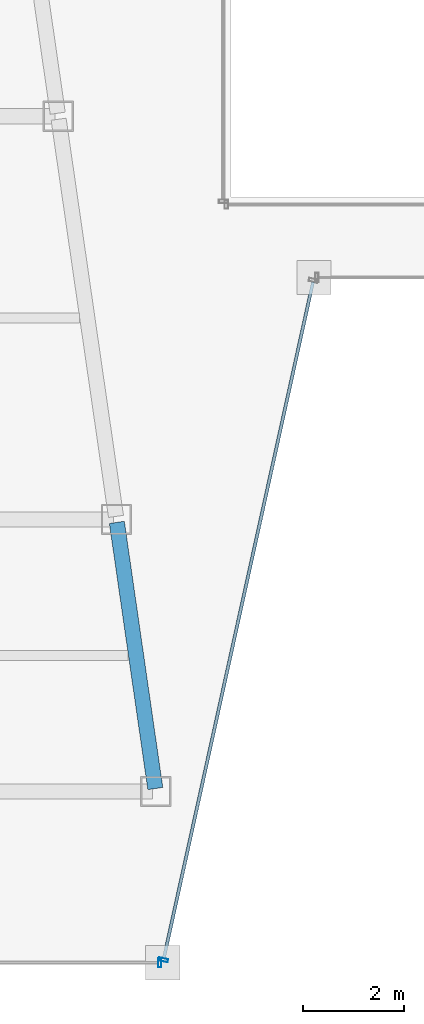
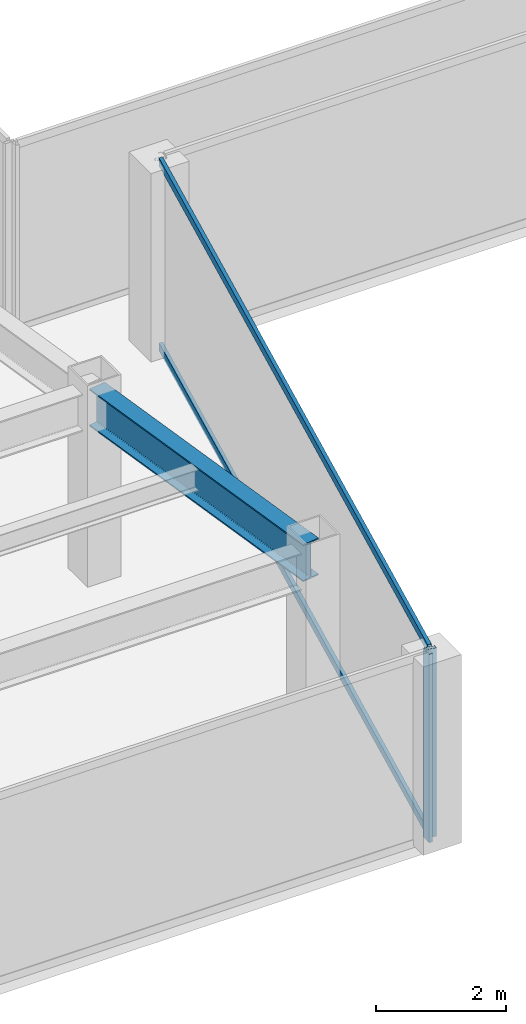
# One storey, part 5 of 37: 4 members, 1 beam, 2 elements without a shape of their own.
"""IFC4 building model written with IfcOpenShell, lengths in metres."""

from ifc_helpers import new_model, si_unit, direction, frame, origin, origin_2d, place, context, subcontext, project, spatial, hollow_rectangle, i_section, extrude, material, material_profile, profile_set, type_object, element, aggregate, save


model = new_model("IFC4")

# Units and contexts
model_context = context("Model", 3, precision=1e-05, world=origin(), true_north=direction((0.0, 1.0)))
body_context = subcontext(model_context, "Body", "Model", "MODEL_VIEW")
ifc_project = project(units=[si_unit("LENGTHUNIT", "METRE"), si_unit("AREAUNIT", "SQUARE_METRE"), si_unit("VOLUMEUNIT", "CUBIC_METRE"), si_unit("PLANEANGLEUNIT", "RADIAN"), si_unit("MASSUNIT", "GRAM", prefix="KILO")], contexts=[model_context])

# Site, building, storey
site_placement = place(None, origin())
site = spatial("IfcSite", under=ifc_project, at=site_placement, CompositionType="ELEMENT")
building_placement = place(site_placement, origin())
building = spatial("IfcBuilding", under=site, at=building_placement, Name="Saevonmaru Cultural Tower", CompositionType="ELEMENT")
storey_placement = place(building_placement, frame((0.0, 0.0, 141.0)))
storey = spatial("IfcBuildingStorey", under=building, at=storey_placement, Name="L30", CompositionType="ELEMENT", Elevation=141.0)

# Beam
ifc_material_1 = material(Name="Steel SM355", Category="steel")
ifc_material_profile_1 = material_profile(ifc_material_1, i_section(OverallWidth=0.300048828125, OverallDepth=0.699951171875, WebThickness=0.012939453125, FlangeThickness=0.02392578125, FilletRadius=0.02587890625, at=origin_2d()), Name="H-700x300x13x24")
ifc_profile_set_1 = profile_set([ifc_material_profile_1], Name="Steel SM355")
beam_type = type_object("IfcBeamType", Name="BM-G-H700", PredefinedType="BEAM", material=ifc_profile_set_1)
beam_placement = place(storey_placement, frame((22.699462890625, 10.659423828125, 3.199951171875), z_axis=(-0.142977693794, 0.989725911087, 0.0), x_axis=(-0.989725911087, -0.142977693794, 0.0)))
element("IfcBeam", 1, at=beam_placement, inside=storey, type_object=beam_type, Name="L30 West Atrium Girder 1", PredefinedType="BEAM", context=body_context, shape_type="SweptSolid", body=[
    extrude(i_section(OverallWidth=0.300048828125, OverallDepth=0.699951171875, WebThickness=0.012939453125, FlangeThickness=0.02392578125, FilletRadius=0.02587890625, at=origin_2d()), origin(), (0.0, 0.0, 1.0), 5.336181640625),
])

# Curtain wall, member
ifc_material_2 = material(Name="Satin Bronze Anodised Aluminium", Category="aluminium")
curtain_wall_type = type_object("IfcCurtainWallType", Name="CW-TYP-A", PredefinedType="NOTDEFINED", material=ifc_material_2)
curtain_wall_1_placement = place(storey_placement, origin())
curtain_wall_1 = element("IfcCurtainWall", 2, at=curtain_wall_1_placement, inside=storey, type_object=curtain_wall_type, Name="L30 Unitised Curtain Wall E2", PredefinedType="NOTDEFINED")
ifc_material_profile_2 = material_profile(ifc_material_2, hollow_rectangle(XDim=0.06494140625, YDim=0.179931640625, WallThickness=0.00390625, at=origin_2d()), Name="ALU-MULL-180x65x4")
ifc_profile_set_2 = profile_set([ifc_material_profile_2], Name="Satin Bronze Anodised Aluminium")
member_type_1 = type_object("IfcMemberType", Name="ML-CW-180x65", PredefinedType="MULLION", material=ifc_profile_set_2)
member_1_placement = place(storey_placement, frame((22.788818359375, 7.199951171875, 0.0), z_axis=(0.0, 0.0, 1.0), x_axis=(1.0, 0.0, 0.0)))
member_1 = element("IfcMember", 3, at=member_1_placement, type_object=member_type_1, Name="CW-TW-L30-E2 mullion 2", PredefinedType="MULLION", context=body_context, shape_type="SweptSolid", body=[
    extrude(hollow_rectangle(XDim=0.06494140625, YDim=0.179931640625, WallThickness=0.00390625, at=origin_2d()), origin(), (0.0, 0.0, 1.0), 3.550048828125),
])
aggregate(curtain_wall_1, [member_1])

# Curtain wall, members
curtain_wall_2_placement = place(storey_placement, origin())
curtain_wall_2 = element("IfcCurtainWall", 4, at=curtain_wall_2_placement, inside=storey, type_object=curtain_wall_type, Name="L30 Unitised Curtain Wall E3", PredefinedType="NOTDEFINED")
member_2_placement = place(storey_placement, frame((22.86181640625, 7.258544921875, 0.0), z_axis=(0.0, 0.0, 1.0), x_axis=(0.215413319953, 0.976522965212, 0.0)))
member_2 = element("IfcMember", 5, at=member_2_placement, type_object=member_type_1, Name="CW-TW-L30-E3 mullion 1", PredefinedType="MULLION", context=body_context, shape_type="SweptSolid", body=[
    extrude(hollow_rectangle(XDim=0.06494140625, YDim=0.179931640625, WallThickness=0.00390625, at=origin_2d()), origin(), (0.0, 0.0, 1.0), 3.550048828125),
])
ifc_material_profile_3 = material_profile(ifc_material_2, hollow_rectangle(XDim=0.06494140625, YDim=0.14990234375, WallThickness=0.00390625, at=origin_2d()), Name="ALU-TRAN-150x65x4")
ifc_profile_set_3 = profile_set([ifc_material_profile_3], Name="Satin Bronze Anodised Aluminium")
member_type_2 = type_object("IfcMemberType", Name="TR-CW-150x65", PredefinedType="USERDEFINED", material=ifc_profile_set_3)
member_3_placement = place(storey_placement, frame((22.868896484375, 7.290283203125, 0.032470703125), z_axis=(0.21541214732, 0.976523223885, 0.0), x_axis=(-0.976523223885, 0.21541214732, 0.0)))
member_3 = element("IfcMember", 6, at=member_3_placement, type_object=member_type_2, Name="CW-TW-L30-E3 transom 1.1", ObjectType="TRANSOM", PredefinedType="USERDEFINED", context=body_context, shape_type="SweptSolid", body=[
    extrude(hollow_rectangle(XDim=0.06494140625, YDim=0.14990234375, WallThickness=0.00390625, at=origin_2d()), origin(), (0.0, 0.0, 1.0), 13.741943359375),
])
member_4_placement = place(storey_placement, frame((22.868896484375, 7.290283203125, 3.517578125), z_axis=(0.21541214732, 0.976523223885, 0.0), x_axis=(-0.976523223885, 0.21541214732, 0.0)))
member_4 = element("IfcMember", 7, at=member_4_placement, type_object=member_type_2, Name="CW-TW-L30-E3 transom 1.2", ObjectType="TRANSOM", PredefinedType="USERDEFINED", context=body_context, shape_type="SweptSolid", body=[
    extrude(hollow_rectangle(XDim=0.06494140625, YDim=0.14990234375, WallThickness=0.00390625, at=origin_2d()), origin(), (0.0, 0.0, 1.0), 13.741943359375),
])
aggregate(curtain_wall_2, [member_2, member_3, member_4])

save(model, "model.ifc")
